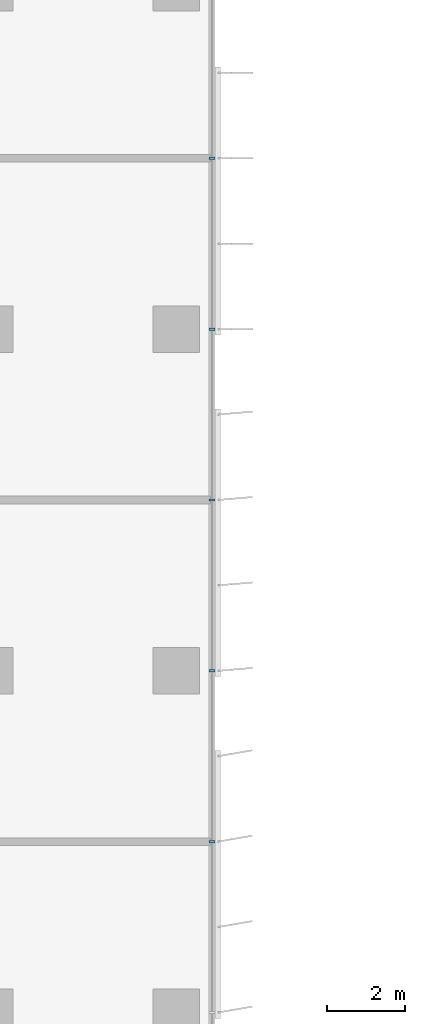
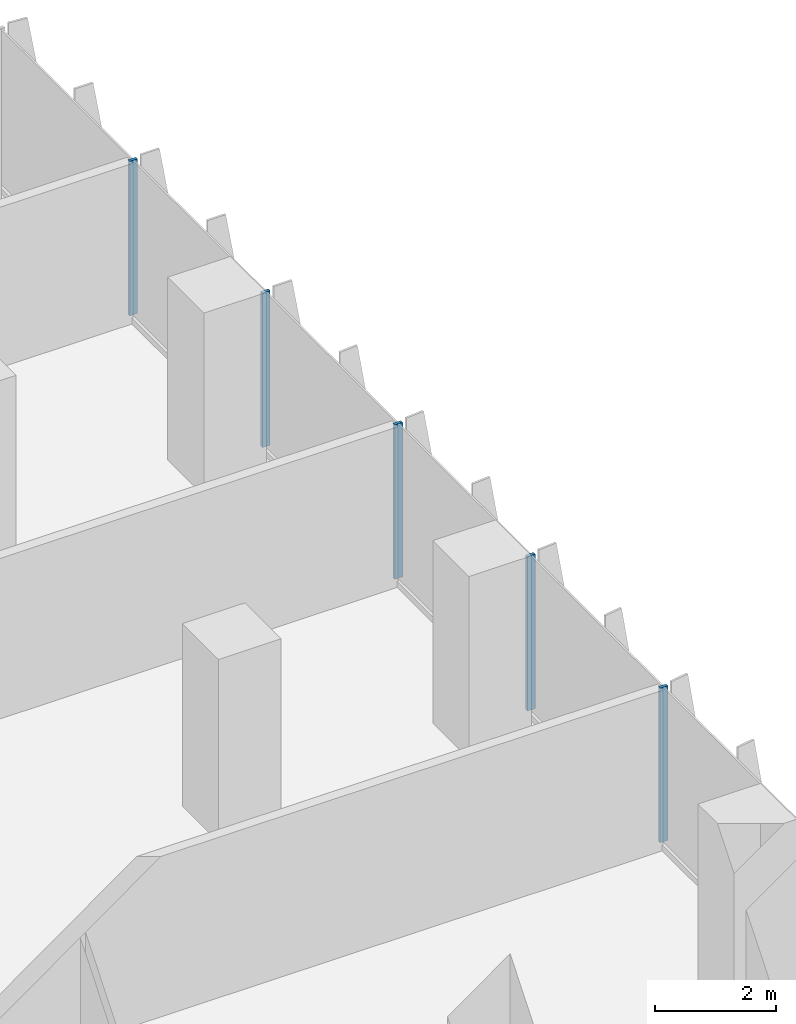
# One storey, part 5 of 22: 5 members, 1 element without a shape of its own.
"""IFC4 building model written with IfcOpenShell, lengths in metres."""

from ifc_helpers import new_model, si_unit, direction, frame, origin, origin_2d, place, context, subcontext, project, spatial, rectangle, extrude, source, transform, mapped, material, material_profile, profile_set, type_object, element, aggregate, save


model = new_model("IFC4")

# Units and contexts
model_context = context("Model", 3, precision=1e-05, world=origin(), true_north=direction((0.0, 1.0)))
body_context = subcontext(model_context, "Body", "Model", "MODEL_VIEW")
ifc_project = project(units=[si_unit("LENGTHUNIT", "METRE"), si_unit("AREAUNIT", "SQUARE_METRE"), si_unit("VOLUMEUNIT", "CUBIC_METRE"), si_unit("PLANEANGLEUNIT", "RADIAN"), si_unit("MASSUNIT", "GRAM", prefix="KILO")], contexts=[model_context])

# Site, building, storey
site_placement = place(None, origin())
site = spatial("IfcSite", under=ifc_project, at=site_placement, CompositionType="ELEMENT")
building_placement = place(site_placement, origin())
building = spatial("IfcBuilding", under=site, at=building_placement, Name="Kemantara Hotel Tower", CompositionType="ELEMENT")
storey_placement = place(building_placement, frame((0.0, 0.0, 149.39990234375)))
storey = spatial("IfcBuildingStorey", under=building, at=storey_placement, Name="L36", CompositionType="ELEMENT", Elevation=149.39990234375)

# Curtain wall, members
ifc_material_1 = material(Name="Low-E tinted double insulated glass 36 mm", Category="glass")
curtain_wall_type = type_object("IfcCurtainWallType", Name="TOWER CURTAIN WALL, FRONT FACES", PredefinedType="USERDEFINED", material=ifc_material_1)
curtain_wall_placement = place(storey_placement, origin())
curtain_wall = element("IfcCurtainWall", 1, at=curtain_wall_placement, inside=storey, type_object=curtain_wall_type, Name="CW4 L36 T2-R14-1", ObjectType="TOWER CURTAIN WALL, FRONT FACES", PredefinedType="USERDEFINED")
ifc_material_2 = material(Name="Aluminium 6063-T6 bronze anodised", Category="aluminium")
ifc_material_profile = material_profile(ifc_material_2, rectangle(XDim=0.14990234375, YDim=0.06005859375, at=origin_2d()), Name="TOWER CURTAIN WALL, FRONT FACES MULLION")
ifc_profile_set = profile_set([ifc_material_profile], Name="Aluminium 6063-T6 bronze anodised")
member_type = type_object("IfcMemberType", Name="TOWER CURTAIN WALL, FRONT FACES MULLION", PredefinedType="MULLION", material=ifc_profile_set)
shared_shape = source(origin(), body_context, "Body", "SweptSolid", [
    extrude(rectangle(XDim=0.14990234375, YDim=0.06005859375, at=origin_2d()), origin(), (0.0, 0.0, 1.0), 3.1298828125),
])
member_1_placement = place(storey_placement, frame((26.72509765625, 31.800048828125, 0.1201171875), z_axis=(0.0, 0.0, 1.0), x_axis=(-1.0, 0.0, 0.0)))
member_1 = element("IfcMember", 2, at=member_1_placement, type_object=member_type, Name="CW4 mullion T2-R14-1.4", PredefinedType="MULLION", context=body_context, shape_type="MappedRepresentation", body=[
    mapped(shared_shape, transform((0.0, 0.0, 0.0))),
])
member_2_placement = place(storey_placement, frame((26.72509765625, 36.199951171875, 0.1201171875), z_axis=(0.0, 0.0, 1.0), x_axis=(-1.0, 0.0, 0.0)))
member_2 = element("IfcMember", 3, at=member_2_placement, type_object=member_type, Name="CW4 mullion T2-R14-1.5", PredefinedType="MULLION", context=body_context, shape_type="MappedRepresentation", body=[
    mapped(shared_shape, transform((0.0, 0.0, 0.0))),
])
member_3_placement = place(storey_placement, frame((26.72509765625, 40.60009765625, 0.1201171875), z_axis=(0.0, 0.0, 1.0), x_axis=(-1.0, 0.0, 0.0)))
member_3 = element("IfcMember", 4, at=member_3_placement, type_object=member_type, Name="CW4 mullion T2-R14-1.6", PredefinedType="MULLION", context=body_context, shape_type="MappedRepresentation", body=[
    mapped(shared_shape, transform((0.0, 0.0, 0.0))),
])
member_4_placement = place(storey_placement, frame((26.72509765625, 45.0, 0.1201171875), z_axis=(0.0, 0.0, 1.0), x_axis=(-1.0, 0.0, 0.0)))
member_4 = element("IfcMember", 5, at=member_4_placement, type_object=member_type, Name="CW4 mullion T2-R14-1.7", PredefinedType="MULLION", context=body_context, shape_type="MappedRepresentation", body=[
    mapped(shared_shape, transform((0.0, 0.0, 0.0))),
])
member_5_placement = place(storey_placement, frame((26.72509765625, 49.39990234375, 0.1201171875), z_axis=(0.0, 0.0, 1.0), x_axis=(-1.0, 0.0, 0.0)))
member_5 = element("IfcMember", 6, at=member_5_placement, type_object=member_type, Name="CW4 mullion T2-R14-1.8", PredefinedType="MULLION", context=body_context, shape_type="MappedRepresentation", body=[
    mapped(shared_shape, transform((0.0, 0.0, 0.0))),
])
aggregate(curtain_wall, [member_1, member_2, member_3, member_4, member_5])

save(model, "model.ifc")
